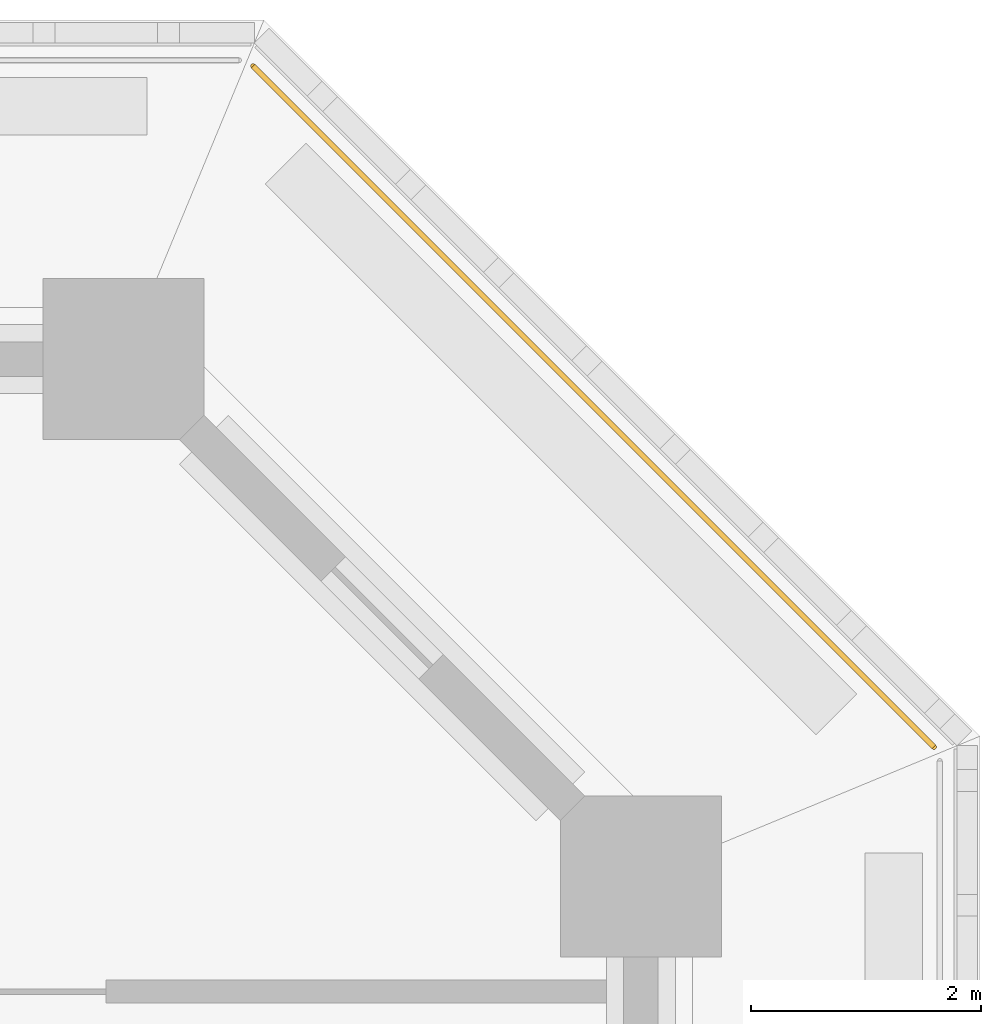
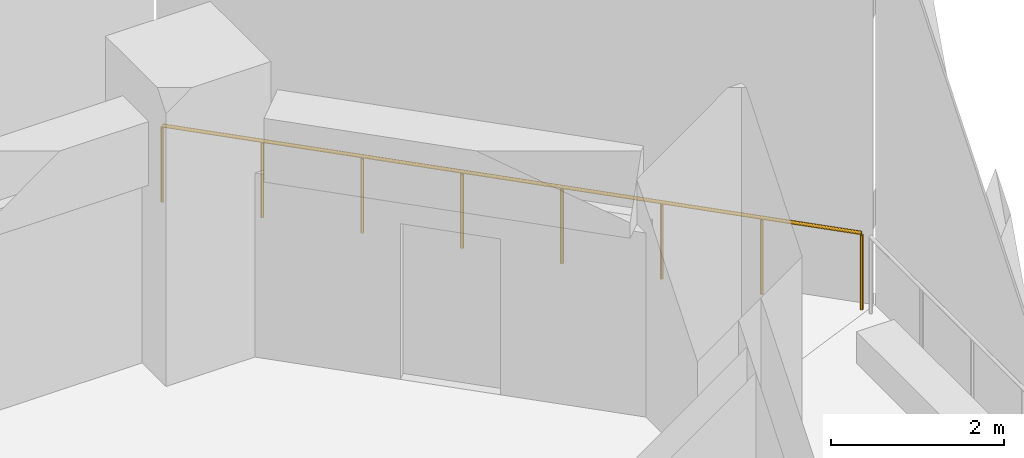
# One storey, part 12 of 13: 1 railing.
"""IFC4 building model written with IfcOpenShell, lengths in metres."""

from ifc_helpers import new_model, si_unit, direction, frame, origin, origin_2d, place, context, subcontext, project, spatial, circle, extrude, material, type_object, element, save


model = new_model("IFC4")

# Units and contexts
model_context = context("Model", 3, precision=1e-05, world=origin(), true_north=direction((0.0, 1.0)))
body_context = subcontext(model_context, "Body", "Model", "MODEL_VIEW")
ifc_project = project(units=[si_unit("LENGTHUNIT", "METRE"), si_unit("AREAUNIT", "SQUARE_METRE"), si_unit("VOLUMEUNIT", "CUBIC_METRE"), si_unit("PLANEANGLEUNIT", "RADIAN"), si_unit("MASSUNIT", "GRAM", prefix="KILO")], contexts=[model_context])

# Site, building, storey
site_placement = place(None, origin())
site = spatial("IfcSite", under=ifc_project, at=site_placement, CompositionType="ELEMENT")
building_placement = place(site_placement, origin())
building = spatial("IfcBuilding", under=site, at=building_placement, Name="Corbel Stack Research Tower", CompositionType="ELEMENT")
storey_placement = place(building_placement, frame((0.0, 0.0, 66.5)))
storey = spatial("IfcBuildingStorey", under=building, at=storey_placement, Name="L15", CompositionType="ELEMENT", Elevation=66.5)

# Railing
ifc_material = material(Name="Powder-coated steel guard", Category="steel")
railing_type = type_object("IfcRailingType", Name="Steel and glass guard 1100", PredefinedType="GUARDRAIL", material=ifc_material)
railing_placement = place(storey_placement, frame((34.04931640625, 23.627685546875, 0.0)))
element("IfcRailing", 1, at=railing_placement, inside=storey, type_object=railing_type, Name="Loggia guard L15 NE", PredefinedType="GUARDRAIL", context=body_context, shape_type="SweptSolid", body=[
    extrude(circle(Radius=0.02392578125, at=origin_2d()), frame((0.0, 0.0, 1.076171875), z_axis=(-0.707106781187, 0.707106781187, 0.0), x_axis=(-0.707106781187, -0.707106781187, 0.0)), (0.0, 0.0, 1.0), 8.37451171875),
    extrude(circle(Radius=0.02099609375, at=origin_2d()), origin(), (0.0, 0.0, 1.0), 1.052001953125),
    extrude(circle(Radius=0.02099609375, at=origin_2d()), frame((-0.845947265625, 0.845947265625, 0.0)), (0.0, 0.0, 1.0), 1.052001953125),
    extrude(circle(Radius=0.02099609375, at=origin_2d()), frame((-1.69189453125, 1.69189453125, 0.0)), (0.0, 0.0, 1.0), 1.052001953125),
    extrude(circle(Radius=0.02099609375, at=origin_2d()), frame((-2.537841796875, 2.537841796875, 0.0)), (0.0, 0.0, 1.0), 1.052001953125),
    extrude(circle(Radius=0.02099609375, at=origin_2d()), frame((-3.3837890625, 3.3837890625, 0.0)), (0.0, 0.0, 1.0), 1.052001953125),
    extrude(circle(Radius=0.02099609375, at=origin_2d()), frame((-4.229736328125, 4.229736328125, 0.0)), (0.0, 0.0, 1.0), 1.052001953125),
    extrude(circle(Radius=0.02099609375, at=origin_2d()), frame((-5.07568359375, 5.07568359375, 0.0)), (0.0, 0.0, 1.0), 1.052001953125),
    extrude(circle(Radius=0.02099609375, at=origin_2d()), frame((-5.921630859375, 5.921630859375, 0.0)), (0.0, 0.0, 1.0), 1.052001953125),
])

save(model, "model.ifc")
